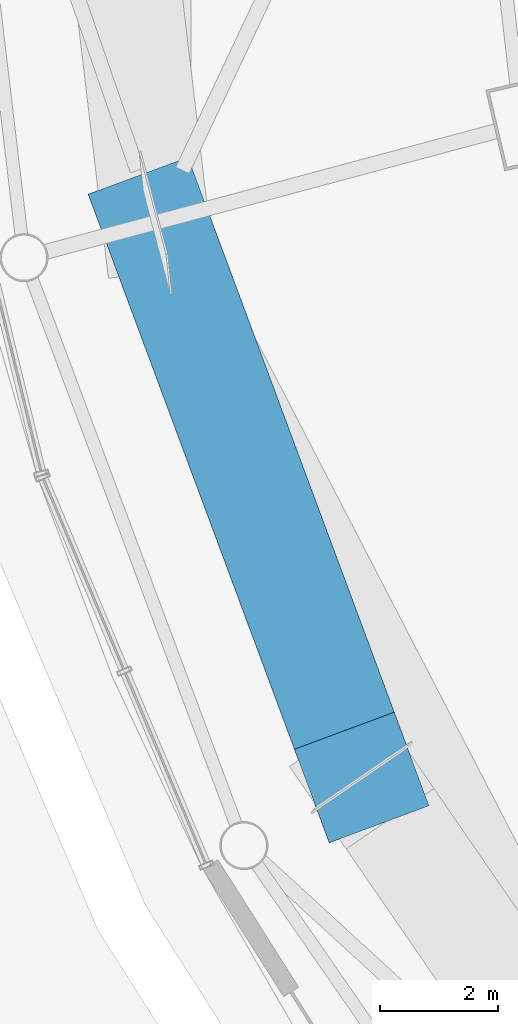
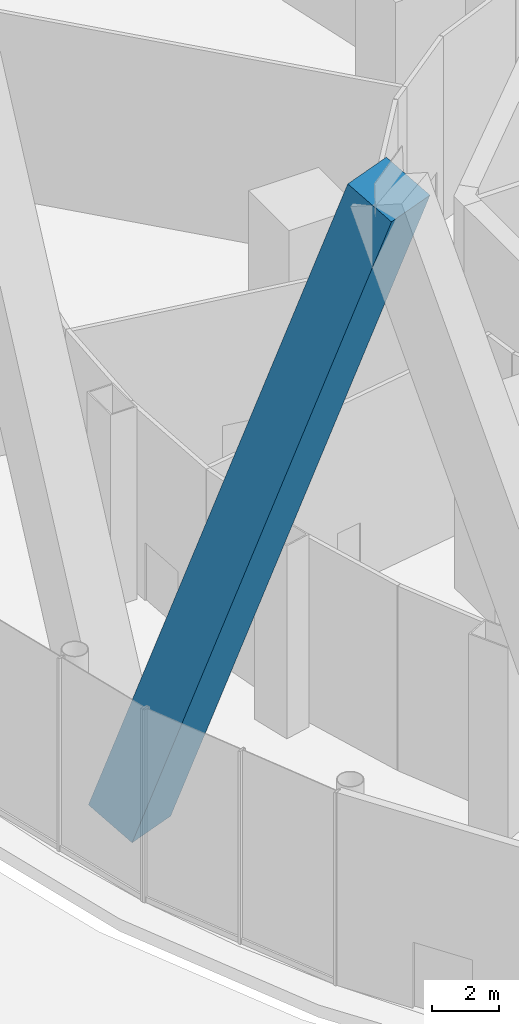
# One storey, part 9 of 67: 1 member.
"""IFC4 building model written with IfcOpenShell, lengths in metres."""

import ifcopenshell
import ifcopenshell.guid

model = None  # the IFC model being written
_history = None  # IfcOwnerHistory: only IFC2X3 demands one
_inside = {}  # id of a spatial element -> (the spatial element, [elements in it])
_under = {}  # id of a project, library or spatial element -> (it, [spatial elements below it])
_declared = {}  # id of a project -> (the project, [libraries it declares])
_typed = {}  # id of a type object -> (the type object, [elements of that type])
_made_of = {}  # id of a material, layer set ... -> (it, [elements and type objects made of it])


def new_model(schema):
    """Start an empty IFC model of exactly this schema.

    Asked for "IFC4X3", IfcOpenShell would pick the latest addendum, in which some entities
    have other attributes; the version numbers below select the first issue.
    IFC2X3 requires an IfcOwnerHistory on every rooted entity: one is made here for all.
    """
    global model, _history
    if schema == "IFC4X3":
        model = ifcopenshell.file(schema_version=(4, 3, 0, 0))
    else:
        model = ifcopenshell.file(schema=schema)
    _inside.clear()
    _under.clear()
    _declared.clear()
    _typed.clear()
    _made_of.clear()
    _history = None
    if model.schema == "IFC2X3":
        org = make("IfcOrganization", Name="unknown")
        user = make(
            "IfcPersonAndOrganization",
            ThePerson=make("IfcPerson", FamilyName="unknown"),
            TheOrganization=org,
        )
        app = make(
            "IfcApplication",
            ApplicationDeveloper=org,
            Version="unknown",
            ApplicationFullName="unknown",
            ApplicationIdentifier="unknown",
        )
        _history = make(
            "IfcOwnerHistory",
            OwningUser=user,
            OwningApplication=app,
            ChangeAction="ADDED",
            CreationDate=0,
        )
    return model


def make(cls, **values):
    """One entity of the class cls with the attributes given. An attribute that is None is left unset."""
    return model.create_entity(
        cls, **{name: value for name, value in values.items() if value is not None}
    )


def rooted(cls, **values):
    """An entity with a GlobalId (a new one), such as an element, a storey or a relation."""
    return make(cls, GlobalId=ifcopenshell.guid.new(), OwnerHistory=_history, **values)


def si_unit(unit_type, name, prefix=None):
    """IfcSIUnit, for example si_unit("LENGTHUNIT", "METRE", prefix="MILLI")."""
    return make("IfcSIUnit", UnitType=unit_type, Prefix=prefix, Name=name)


def assignment(units):
    """IfcUnitAssignment: the units of a project."""
    return None if units is None else make("IfcUnitAssignment", Units=units)


def point(xyz):
    """IfcCartesianPoint."""
    return None if xyz is None else make("IfcCartesianPoint", Coordinates=xyz)


def direction(xyz):
    """IfcDirection."""
    return None if xyz is None else make("IfcDirection", DirectionRatios=xyz)


def frame(location, z_axis=None, x_axis=None):
    """IfcAxis2Placement3D, a coordinate frame: its origin and axes. An axis left out is left unset."""
    return make(
        "IfcAxis2Placement3D",
        Location=point(location),
        Axis=direction(z_axis),
        RefDirection=direction(x_axis),
    )


def frame_2d(location, x_axis=None):
    """IfcAxis2Placement2D, a coordinate frame in the plane: its origin and x axis."""
    return make(
        "IfcAxis2Placement2D", Location=point(location), RefDirection=direction(x_axis)
    )


def origin():
    """The frame at (0, 0, 0) with its axes left unset."""
    return frame((0.0, 0.0, 0.0))


def origin_2d():
    """The frame at (0, 0) in the plane with its x axis left unset."""
    return frame_2d((0.0, 0.0))


def place(relative_to, where):
    """IfcLocalPlacement: puts the frame where relative to a parent placement (None: the world)."""
    return make(
        "IfcLocalPlacement", PlacementRelTo=relative_to, RelativePlacement=where
    )


def context(
    kind, dimensions, precision=None, world=None, true_north=None, identifier=None
):
    """IfcGeometricRepresentationContext, for example the 3D "Model" context."""
    return make(
        "IfcGeometricRepresentationContext",
        ContextIdentifier=identifier,
        ContextType=kind,
        CoordinateSpaceDimension=dimensions,
        Precision=precision,
        WorldCoordinateSystem=world,
        TrueNorth=true_north,
    )


def subcontext(parent, identifier, kind, view, scale=None):
    """IfcGeometricRepresentationSubContext, for example "Body" below "Model"."""
    return make(
        "IfcGeometricRepresentationSubContext",
        ContextIdentifier=identifier,
        ContextType=kind,
        ParentContext=parent,
        TargetScale=scale,
        TargetView=view,
    )


def project(units=None, contexts=None):
    """IfcProject with its units and contexts."""
    return rooted(
        "IfcProject",
        Name="project",
        RepresentationContexts=contexts,
        UnitsInContext=assignment(units),
    )


def spatial(cls, under=None, at=None, **own):
    """A site, building, storey or space (cls), placed at a placement, below another one or the project."""
    s = rooted(cls, ObjectPlacement=at, **own)
    if under is not None:
        _under.setdefault(under.id(), (under, []))[1].append(s)
    return s


def profile(cls, at=None, kind="AREA", **sizes):
    """A parametric profile (cls). Its sizes go by their IFC names, for example OverallWidth=200.0."""
    return make(cls, ProfileType=kind, Position=at, **sizes)


def rectangle(**sizes):
    """IfcRectangleProfileDef."""
    return profile("IfcRectangleProfileDef", **sizes)


def extrude(swept, where, along, depth):
    """IfcExtrudedAreaSolid: the profile swept, set in the frame where, extruded along a direction by depth."""
    return make(
        "IfcExtrudedAreaSolid",
        SweptArea=swept,
        Position=where,
        ExtrudedDirection=direction(along),
        Depth=depth,
    )


def shape(context_of_items, identifier, shape_type, items):
    """IfcShapeRepresentation: the items that make up one representation, for example the "Body"."""
    return make(
        "IfcShapeRepresentation",
        ContextOfItems=context_of_items,
        RepresentationIdentifier=identifier,
        RepresentationType=shape_type,
        Items=items,
    )


def material(Name=None, Category=None):
    """IfcMaterial."""
    return make("IfcMaterial", Name=Name, Category=Category)


def material_profile(
    of_material, cross_section, Name=None, Category=None, Priority=None
):
    """IfcMaterialProfile: a cross section and its material."""
    return make(
        "IfcMaterialProfile",
        Name=Name,
        Material=of_material,
        Profile=cross_section,
        Priority=Priority,
        Category=Category,
    )


def profile_set(profiles, Name=None, composite=None):
    """IfcMaterialProfileSet."""
    return make(
        "IfcMaterialProfileSet",
        Name=Name,
        MaterialProfiles=profiles,
        CompositeProfile=composite,
    )


def made_of(thing, what):
    """Note that an element or type object is made of a material, layer set ...; save() writes the relation."""
    if what is not None:
        _made_of.setdefault(what.id(), (what, []))[1].append(thing)
    return thing


def type_object(cls, material=None, **own):
    """A type object (cls), such as IfcWallType, which elements share."""
    return made_of(rooted(cls, **own), material)


def element(
    cls,
    number,
    at=None,
    inside=None,
    cuts=None,
    type_object=None,
    material=None,
    context=None,
    identifier="Body",
    shape_type=None,
    held_by="IfcProductDefinitionShape",
    body=None,
    shapes=None,
    **own,
):
    """One element of the class cls, such as IfcWall. Its Tag is "e" and its number.

    at: its placement. inside: the storey or other place that contains it. cuts: it is an
    opening in that element (IfcRelVoidsElement). A single representation is given by context,
    identifier, shape_type and body (its items); several are given by shapes. held_by: the class
    of the entity that holds the representations. save() writes the other relations.
    """
    e = rooted(cls, Tag="e%d" % number, ObjectPlacement=at, **own)
    if body is not None:
        shapes = [shape(context, identifier, shape_type, body)]
    if shapes is not None:
        e.Representation = make(held_by, Representations=shapes)
    if inside is not None:
        _inside.setdefault(inside.id(), (inside, []))[1].append(e)
    if cuts is not None:
        rooted(
            "IfcRelVoidsElement", RelatingBuildingElement=cuts, RelatedOpeningElement=e
        )
    if type_object is not None:
        _typed.setdefault(type_object.id(), (type_object, []))[1].append(e)
    return made_of(e, material)


def aggregate(whole, parts):
    """IfcRelAggregates: a whole, such as a stair, and the parts it consists of."""
    return rooted("IfcRelAggregates", RelatingObject=whole, RelatedObjects=parts)


def save(model, path):
    """Write the relations noted so far, then the file.

    IfcRelAggregates (storeys below a building ...), IfcRelContainedInSpatialStructure (elements
    in a storey), IfcRelDefinesByType, IfcRelAssociatesMaterial and IfcRelDeclares: one each for
    every whole, place, type object, material and project.
    """
    for whole, parts in _under.values():
        aggregate(whole, parts)
    for where, things in _inside.values():
        rooted(
            "IfcRelContainedInSpatialStructure",
            RelatedElements=things,
            RelatingStructure=where,
        )
    for kind, things in _typed.values():
        rooted("IfcRelDefinesByType", RelatedObjects=things, RelatingType=kind)
    for what, things in _made_of.values():
        rooted("IfcRelAssociatesMaterial", RelatedObjects=things, RelatingMaterial=what)
    for by, libraries in _declared.values():
        rooted("IfcRelDeclares", RelatingContext=by, RelatedDefinitions=libraries)
    model.write(path)


model = new_model("IFC4")

# Units and contexts
model_context = context("Model", 3, precision=1e-05, world=origin(), true_north=direction((0.0, 1.0)))
body_context = subcontext(model_context, "Body", "Model", "MODEL_VIEW")
ifc_project = project(units=[si_unit("LENGTHUNIT", "METRE"), si_unit("AREAUNIT", "SQUARE_METRE"), si_unit("VOLUMEUNIT", "CUBIC_METRE"), si_unit("PLANEANGLEUNIT", "RADIAN"), si_unit("MASSUNIT", "GRAM", prefix="KILO")], contexts=[model_context])

# Site, building, storey
site_placement = place(None, origin())
site = spatial("IfcSite", under=ifc_project, at=site_placement, CompositionType="ELEMENT")
building_placement = place(site_placement, origin())
building = spatial("IfcBuilding", under=site, at=building_placement, Name="Nagisa Residences", CompositionType="ELEMENT")
storey_placement = place(building_placement, origin())
storey = spatial("IfcBuildingStorey", under=building, at=storey_placement, Name="L00", CompositionType="ELEMENT", Elevation=0.0)

# Member
ifc_material = material(Name="Concrete C80", Category="concrete")
ifc_material_profile = material_profile(ifc_material, rectangle(XDim=1.800048828125, YDim=1.800048828125, at=origin_2d()), Name="C80 1800x1800")
ifc_profile_set = profile_set([ifc_material_profile], Name="Concrete C80")
member_type = type_object("IfcMemberType", Name="Cage diagonal 1 C80 1800x1800", PredefinedType="BRACE", material=ifc_profile_set)
member_placement = place(storey_placement, frame((-30.11083984375, -10.068115234375, 0.0), z_axis=(0.121080878457, -0.325810237192, 0.937649780149), x_axis=(0.937363610568, 0.348352496162, 0.0)))
element("IfcMember", 1, at=member_placement, inside=storey, type_object=member_type, Name="mem:L00:cg1d014", PredefinedType="BRACE", context=body_context, shape_type="SweptSolid", body=[
    extrude(rectangle(XDim=1.800048828125, YDim=1.800048828125, at=origin_2d()), origin(), (0.0, 0.0, 1.0), 28.79541015625),
])

save(model, "model.ifc")
